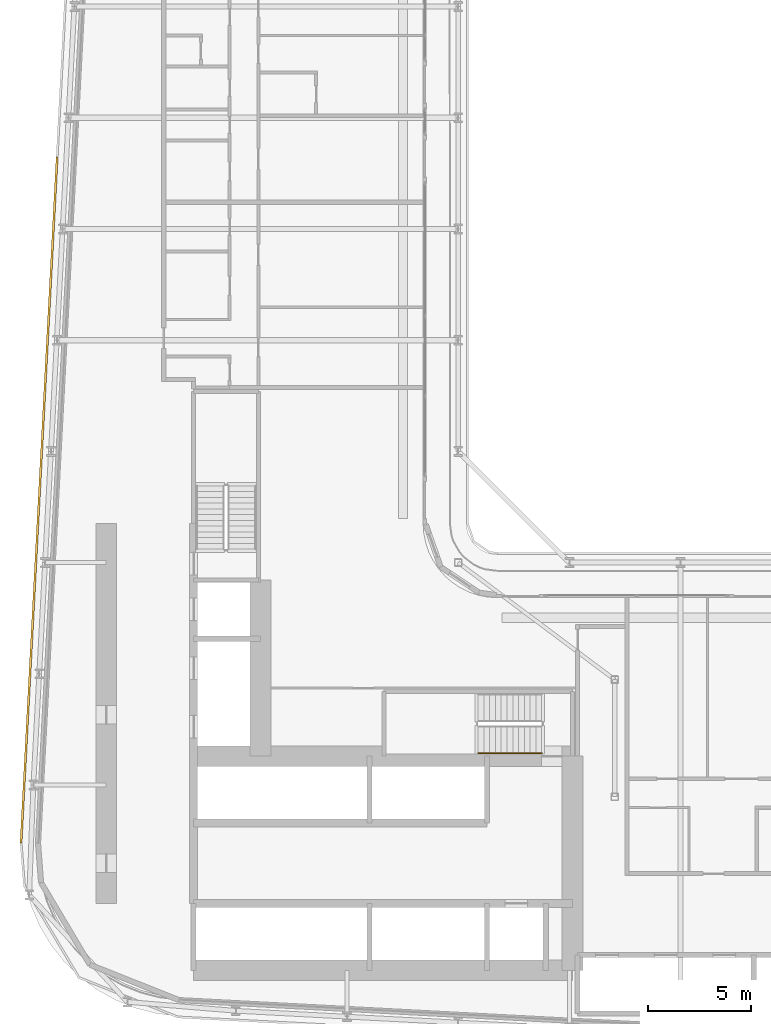
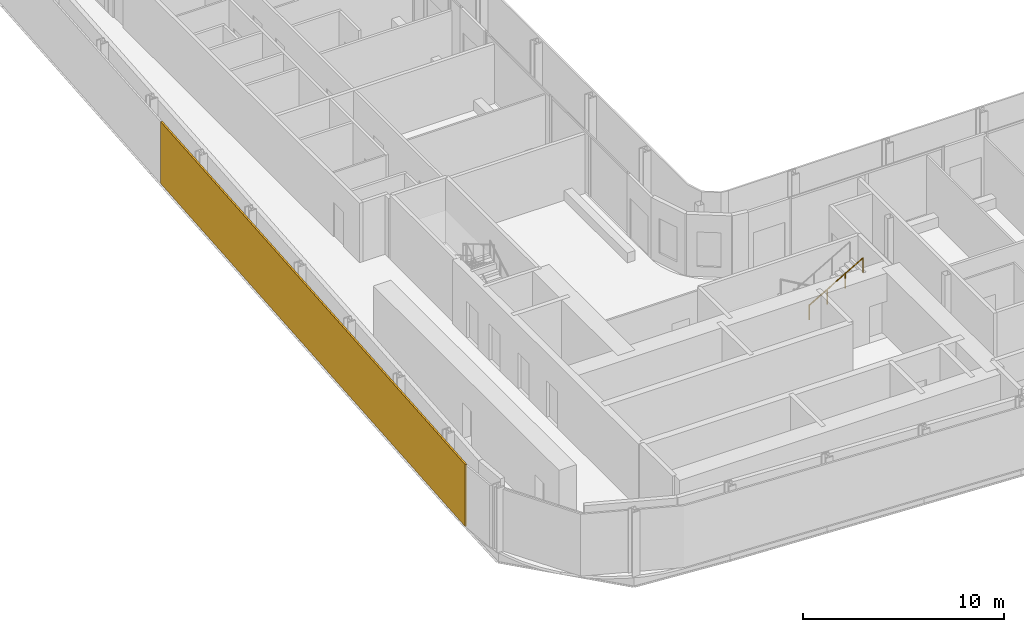
# One storey, part 21 of 27: 1 railing, 1 shading device.
"""IFC4 building model written with IfcOpenShell, lengths in metres."""

from ifc_helpers import new_model, si_unit, direction, frame, origin, origin_2d, place, context, subcontext, project, spatial, rectangle, circle, extrude, material, layer, layer_set, type_object, element, save


model = new_model("IFC4")

# Units and contexts
model_context = context("Model", 3, precision=1e-05, world=origin(), true_north=direction((0.0, 1.0)))
body_context = subcontext(model_context, "Body", "Model", "MODEL_VIEW")
ifc_project = project(units=[si_unit("LENGTHUNIT", "METRE"), si_unit("AREAUNIT", "SQUARE_METRE"), si_unit("VOLUMEUNIT", "CUBIC_METRE"), si_unit("PLANEANGLEUNIT", "RADIAN"), si_unit("MASSUNIT", "GRAM", prefix="KILO")], contexts=[model_context])

# Site, building, storey
site_placement = place(None, origin())
site = spatial("IfcSite", under=ifc_project, at=site_placement, CompositionType="ELEMENT")
building_placement = place(site_placement, origin())
building = spatial("IfcBuilding", under=site, at=building_placement, Name="Kheshtan School and Residences Tower", CompositionType="ELEMENT")
storey_placement = place(building_placement, frame((0.0, 0.0, 46.10009765625)))
storey = spatial("IfcBuildingStorey", under=building, at=storey_placement, Name="L10", CompositionType="ELEMENT", Elevation=46.10009765625)

# Shading device
ifc_material_1 = material(Name="Terracotta baguette, extruded ceramic", Category="masonry")
ifc_layer = layer(ifc_material_1, 0.10009765625)
ifc_layer_set = layer_set([ifc_layer], Name="Ledge screen, terracotta baguettes")
shading_device_type = type_object("IfcShadingDeviceType", Name="Ledge screen, terracotta baguettes", PredefinedType="USERDEFINED", material=ifc_layer_set)
shading_device_placement = place(storey_placement, frame((27.24609375, 48.638916015625, 0.0), z_axis=(0.0, 0.0, 1.0), x_axis=(0.052562536748, 0.998617634398, 0.0)))
element("IfcShadingDevice", 1, at=shading_device_placement, inside=storey, type_object=shading_device_type, Name="Screen L10 4", ObjectType="BAGUETTE", PredefinedType="USERDEFINED", context=body_context, shape_type="SweptSolid", body=[
    extrude(rectangle(XDim=33.341064453125, YDim=0.10009765625, at=origin_2d()), origin(), (0.0, 0.0, 1.0), 3.75),
])

# Railing
ifc_material_2 = material(Name="Stainless steel handrail", Category="steel")
railing_type = type_object("IfcRailingType", Name="Stair handrail 900", PredefinedType="HANDRAIL", material=ifc_material_2)
railing_placement = place(storey_placement, frame((48.570068359375, 36.35009765625, 2.1123046875)))
element("IfcRailing", 2, at=railing_placement, inside=storey, type_object=railing_type, Name="L10 ST1 stair handrail 2", PredefinedType="HANDRAIL", context=body_context, shape_type="SweptSolid", body=[
    extrude(circle(Radius=0.02392578125, at=origin_2d()), frame((0.0, 0.0, 0.8759765625), z_axis=(0.864873446163, 0.0, 0.501989962173), x_axis=(0.0, 1.0, 0.0)), (0.0, 0.0, 1.0), 3.56103515625),
    extrude(circle(Radius=0.02099609375, at=origin_2d()), origin(), (0.0, 0.0, 1.0), 0.851806640625),
    extrude(circle(Radius=0.02099609375, at=origin_2d()), frame((1.026611328125, 0.0, 0.595947265625)), (0.0, 0.0, 1.0), 0.851806640625),
    extrude(circle(Radius=0.02099609375, at=origin_2d()), frame((2.05322265625, 0.0, 1.191650390625)), (0.0, 0.0, 1.0), 0.851806640625),
    extrude(circle(Radius=0.02099609375, at=origin_2d()), frame((3.079833984375, 0.0, 1.78759765625)), (0.0, 0.0, 1.0), 0.851806640625),
])

save(model, "model.ifc")
